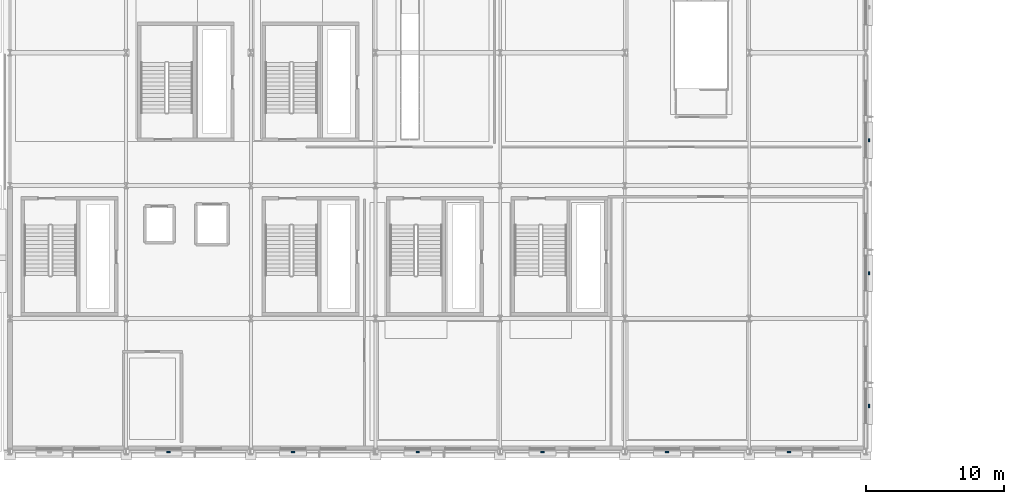
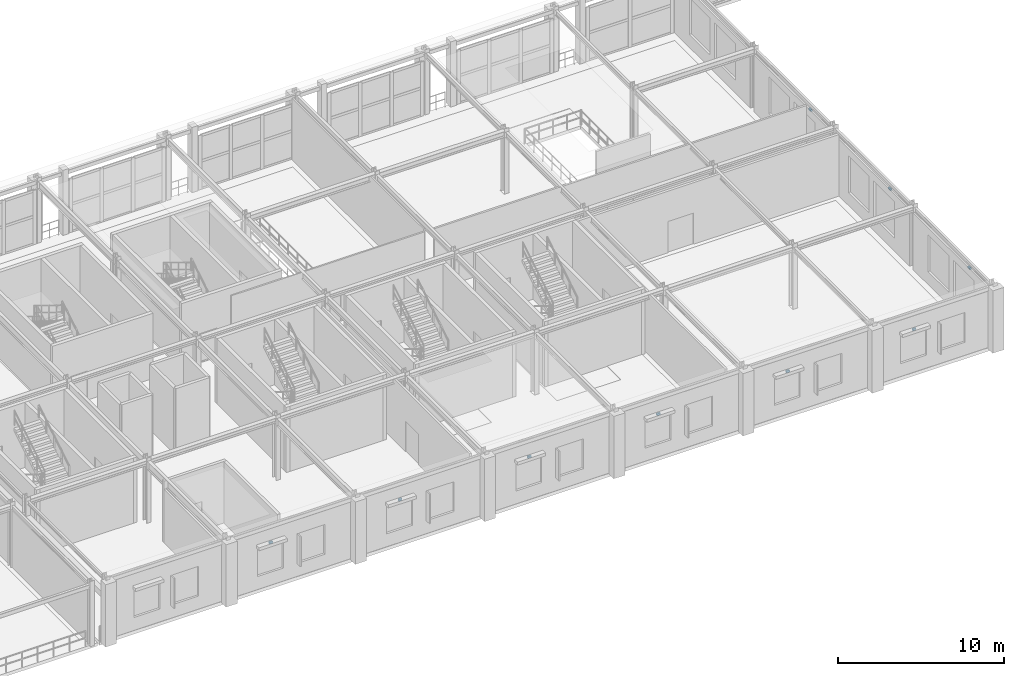
# One storey, part 89 of 125: 9 discrete accessories.
"""IFC4 building model written with IfcOpenShell, lengths in metres."""

from ifc_helpers import new_model, si_unit, direction, frame, origin, origin_2d, place, context, subcontext, project, spatial, rectangle, extrude, material, type_object, element, save


model = new_model("IFC4")

# Units and contexts
model_context = context("Model", 3, precision=1e-05, world=origin(), true_north=direction((0.0, 1.0)))
body_context = subcontext(model_context, "Body", "Model", "MODEL_VIEW")
ifc_project = project(units=[si_unit("LENGTHUNIT", "METRE"), si_unit("AREAUNIT", "SQUARE_METRE"), si_unit("VOLUMEUNIT", "CUBIC_METRE"), si_unit("PLANEANGLEUNIT", "RADIAN"), si_unit("MASSUNIT", "GRAM", prefix="KILO")], contexts=[model_context])

# Site, building, storey
site_placement = place(None, origin())
site = spatial("IfcSite", under=ifc_project, at=site_placement, CompositionType="ELEMENT")
building_placement = place(site_placement, origin())
building = spatial("IfcBuilding", under=site, at=building_placement, Name="Myrtia Square Station", CompositionType="ELEMENT")
storey_placement = place(building_placement, frame((0.0, 0.0, 6.0)))
storey = spatial("IfcBuildingStorey", under=building, at=storey_placement, Name="L01", CompositionType="ELEMENT", Elevation=6.0)

# Discrete accessories
ifc_material = material(Name="Steel S355", Category="steel")
discrete_accessory_type = type_object("IfcDiscreteAccessoryType", Name="ACC-BRACKET-BRONZE", PredefinedType="BRACKET", material=ifc_material)
for number, where, z_axis, x_axis, name in (
    (1, (129.052001953125, -0.030029296875, 3.1298828125), (0.0, 0.0, 1.0), (1.0, 0.0, 0.0), "Solar shading fixing bracket 013"),
    (2, (138.052001953125, -0.030029296875, 3.1298828125), (0.0, 0.0, 1.0), (1.0, 0.0, 0.0), "Solar shading fixing bracket 014"),
    (3, (147.052001953125, -0.030029296875, 3.1298828125), (0.0, 0.0, 1.0), (1.0, 0.0, 0.0), "Solar shading fixing bracket 015"),
    (4, (156.052001953125, -0.030029296875, 3.1298828125), (0.0, 0.0, 1.0), (1.0, 0.0, 0.0), "Solar shading fixing bracket 016"),
    (5, (165.052001953125, -0.030029296875, 3.1298828125), (0.0, 0.0, 1.0), (1.0, 0.0, 0.0), "Solar shading fixing bracket 017"),
    (6, (173.85205078125, -0.030029296875, 3.1298828125), (0.0, 0.0, 1.0), (1.0, 0.0, 0.0), "Solar shading fixing bracket 018"),
    (7, (179.6298828125, 3.277099609375, 3.6298828125), (0.0, 0.0, 1.0), (0.0, 1.0, 0.0), "Solar shading fixing bracket 027"),
    (8, (179.6298828125, 12.876953125, 3.6298828125), (0.0, 0.0, 1.0), (0.0, 1.0, 0.0), "Solar shading fixing bracket 028"),
    (9, (179.6298828125, 22.47705078125, 3.6298828125), (0.0, 0.0, 1.0), (0.0, 1.0, 0.0), "Solar shading fixing bracket 029"),
):
    element("IfcDiscreteAccessory", number, at=place(storey_placement, frame(where, z_axis=z_axis, x_axis=x_axis)), inside=storey, type_object=discrete_accessory_type, Name=name, PredefinedType="BRACKET", context=body_context, shape_type="SweptSolid", body=[
        extrude(rectangle(XDim=0.239990234375, YDim=0.1201171875, at=origin_2d()), origin(), (0.0, 0.0, 1.0), 0.139892578125),
    ])

save(model, "model.ifc")
